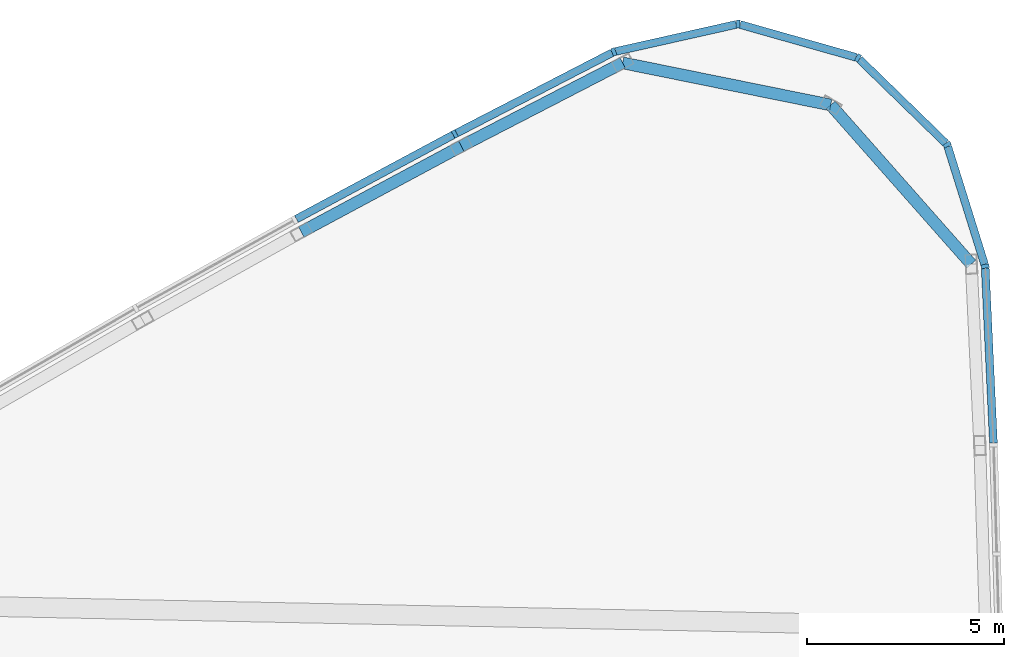
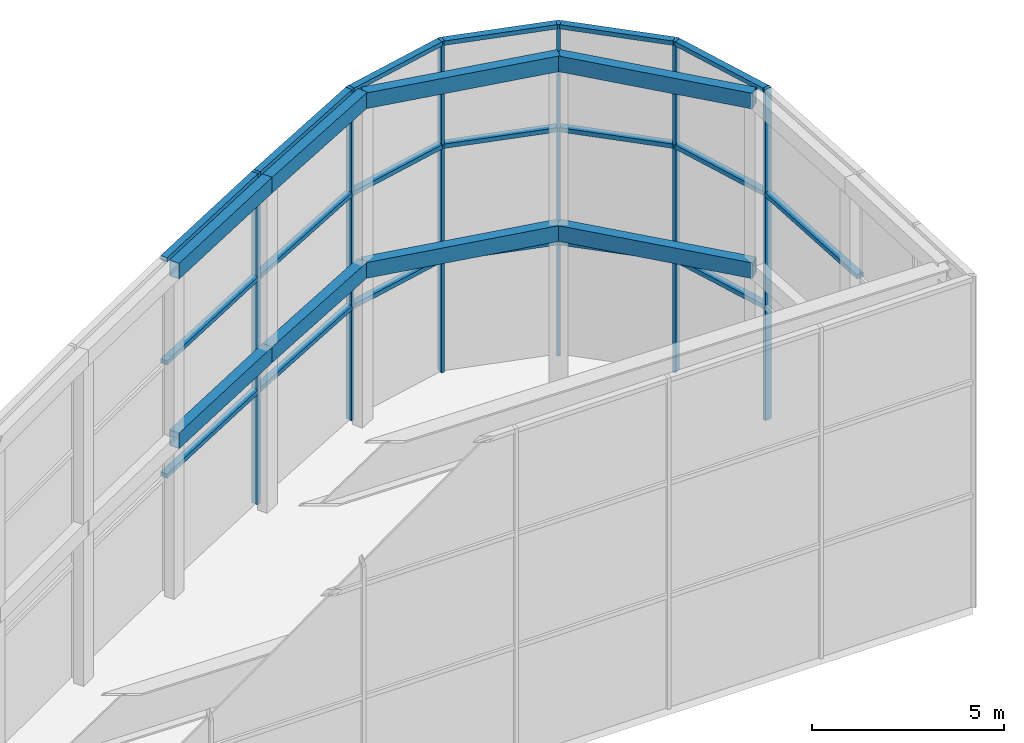
# One storey, part 2 of 4: 25 members, 8 beams, 1 element without a shape of its own.
"""IFC4 building model written with IfcOpenShell, lengths in metres."""

from ifc_helpers import new_model, si_unit, direction, frame, origin, origin_2d, place, context, subcontext, project, spatial, rectangle, hollow_rectangle, extrude, material, material_profile, profile_set, type_object, element, aggregate, save


model = new_model("IFC4")

# Units and contexts
model_context = context("Model", 3, precision=1e-05, world=origin(), true_north=direction((0.0, 1.0)))
body_context = subcontext(model_context, "Body", "Model", "MODEL_VIEW")
ifc_project = project(units=[si_unit("LENGTHUNIT", "METRE"), si_unit("AREAUNIT", "SQUARE_METRE"), si_unit("VOLUMEUNIT", "CUBIC_METRE"), si_unit("PLANEANGLEUNIT", "RADIAN"), si_unit("MASSUNIT", "GRAM", prefix="KILO")], contexts=[model_context])

# Site, building, storey
site_placement = place(None, origin())
site = spatial("IfcSite", under=ifc_project, at=site_placement, CompositionType="ELEMENT")
building_placement = place(site_placement, origin())
building = spatial("IfcBuilding", under=site, at=building_placement, Name="Tamra Quay Hotel Tower", CompositionType="ELEMENT")
storey_placement = place(building_placement, frame((0.0, 0.0, 338.60009765625)))
storey = spatial("IfcBuildingStorey", under=building, at=storey_placement, Name="Roof crown 6", CompositionType="ELEMENT", Elevation=338.60009765625)

# Beams
ifc_material_1 = material(Name="Structural steel IS 2062 E350", Category="steel")
ifc_material_profile_1 = material_profile(ifc_material_1, hollow_rectangle(XDim=0.300048828125, YDim=0.5, WallThickness=0.01611328125, at=origin_2d()), Name="RHS 500x300x16")
ifc_profile_set_1 = profile_set([ifc_material_profile_1], Name="Structural steel IS 2062 E350")
beam_type = type_object("IfcBeamType", Name="CROWN FRAME RING BEAM RHS 500x300x16", PredefinedType="BEAM", material=ifc_profile_set_1)
beam_1_placement = place(storey_placement, frame((15.202392578125, 16.116943359375, 4.89990234375), z_axis=(-0.661876405128, 0.749612983035, 0.0), x_axis=(-0.749612983035, -0.661876405128, 0.0)))
element("IfcBeam", 1, at=beam_1_placement, inside=storey, type_object=beam_type, Name="CF-A-RBM04", PredefinedType="BEAM", context=body_context, shape_type="SweptSolid", body=[
    extrude(hollow_rectangle(XDim=0.300048828125, YDim=0.5, WallThickness=0.01611328125, at=origin_2d()), origin(), (0.0, 0.0, 1.0), 5.38720703125),
])
beam_2_placement = place(storey_placement, frame((11.63671875, 20.1552734375, 4.89990234375), z_axis=(-0.980121358969, 0.198398895393, 0.0), x_axis=(-0.198398895393, -0.980121358969, 0.0)))
element("IfcBeam", 2, at=beam_2_placement, inside=storey, type_object=beam_type, Name="CF-A-RBM05", PredefinedType="BEAM", context=body_context, shape_type="SweptSolid", body=[
    extrude(hollow_rectangle(XDim=0.300048828125, YDim=0.5, WallThickness=0.01611328125, at=origin_2d()), origin(), (0.0, 0.0, 1.0), 5.387451171875),
])
beam_3_placement = place(storey_placement, frame((6.3564453125, 21.22412109375, 4.89990234375), z_axis=(-0.888500094046, -0.458876435306, 0.0), x_axis=(0.458876435306, -0.888500094046, 0.0)))
element("IfcBeam", 3, at=beam_3_placement, inside=storey, type_object=beam_type, Name="CF-A-RBM06", PredefinedType="BEAM", context=body_context, shape_type="SweptSolid", body=[
    extrude(hollow_rectangle(XDim=0.300048828125, YDim=0.5, WallThickness=0.01611328125, at=origin_2d()), origin(), (0.0, 0.0, 1.0), 4.60693359375),
])
beam_4_placement = place(storey_placement, frame((2.26318359375, 19.110107421875, 4.89990234375), z_axis=(-0.881213570035, -0.47271835588, 0.0), x_axis=(0.47271835588, -0.881213570035, 0.0)))
element("IfcBeam", 4, at=beam_4_placement, inside=storey, type_object=beam_type, Name="CF-A-RBM07", PredefinedType="BEAM", context=body_context, shape_type="SweptSolid", body=[
    extrude(hollow_rectangle(XDim=0.300048828125, YDim=0.5, WallThickness=0.01611328125, at=origin_2d()), origin(), (0.0, 0.0, 1.0), 4.607421875),
])
beam_5_placement = place(storey_placement, frame((15.202392578125, 16.116943359375, 10.2998046875), z_axis=(-0.661876405128, 0.749612983035, 0.0), x_axis=(-0.749612983035, -0.661876405128, 0.0)))
element("IfcBeam", 5, at=beam_5_placement, inside=storey, type_object=beam_type, Name="CF-A-RB04", PredefinedType="BEAM", context=body_context, shape_type="SweptSolid", body=[
    extrude(hollow_rectangle(XDim=0.300048828125, YDim=0.5, WallThickness=0.01611328125, at=origin_2d()), origin(), (0.0, 0.0, 1.0), 5.38720703125),
])
beam_6_placement = place(storey_placement, frame((11.63671875, 20.1552734375, 10.2998046875), z_axis=(-0.980121358969, 0.198398895393, 0.0), x_axis=(-0.198398895393, -0.980121358969, 0.0)))
element("IfcBeam", 6, at=beam_6_placement, inside=storey, type_object=beam_type, Name="CF-A-RB05", PredefinedType="BEAM", context=body_context, shape_type="SweptSolid", body=[
    extrude(hollow_rectangle(XDim=0.300048828125, YDim=0.5, WallThickness=0.01611328125, at=origin_2d()), origin(), (0.0, 0.0, 1.0), 5.387451171875),
])
beam_7_placement = place(storey_placement, frame((6.3564453125, 21.22412109375, 10.2998046875), z_axis=(-0.888500094046, -0.458876435306, 0.0), x_axis=(0.458876435306, -0.888500094046, 0.0)))
element("IfcBeam", 7, at=beam_7_placement, inside=storey, type_object=beam_type, Name="CF-A-RB06", PredefinedType="BEAM", context=body_context, shape_type="SweptSolid", body=[
    extrude(hollow_rectangle(XDim=0.300048828125, YDim=0.5, WallThickness=0.01611328125, at=origin_2d()), origin(), (0.0, 0.0, 1.0), 4.60693359375),
])
beam_8_placement = place(storey_placement, frame((2.26318359375, 19.110107421875, 10.2998046875), z_axis=(-0.881213570035, -0.47271835588, 0.0), x_axis=(0.47271835588, -0.881213570035, 0.0)))
element("IfcBeam", 8, at=beam_8_placement, inside=storey, type_object=beam_type, Name="CF-A-RB07", PredefinedType="BEAM", context=body_context, shape_type="SweptSolid", body=[
    extrude(hollow_rectangle(XDim=0.300048828125, YDim=0.5, WallThickness=0.01611328125, at=origin_2d()), origin(), (0.0, 0.0, 1.0), 4.607421875),
])

# Curtain wall, members
ifc_material_2 = material(Name="Aluminium 6063 anodised dark grey", Category="aluminium")
curtain_wall_type = type_object("IfcCurtainWallType", Name="CW6 CURTAIN WALL", PredefinedType="NOTDEFINED", material=ifc_material_2)
curtain_wall_placement = place(storey_placement, origin())
curtain_wall = element("IfcCurtainWall", 9, at=curtain_wall_placement, inside=storey, type_object=curtain_wall_type, Name="CW6 lantern A face Roof crown 6", PredefinedType="NOTDEFINED")
ifc_material_profile_2 = material_profile(ifc_material_2, rectangle(XDim=0.199951171875, YDim=0.10009765625, at=origin_2d()), Name="MULLION 100X200")
ifc_profile_set_2 = profile_set([ifc_material_profile_2], Name="Aluminium 6063 anodised dark grey")
member_type_1 = type_object("IfcMemberType", Name="MULLION CW6", PredefinedType="MULLION", material=ifc_profile_set_2)
member_1_placement = place(storey_placement, frame((15.555419921875, 16.063720703125, 0.0), z_axis=(0.0, 0.0, 1.0), x_axis=(0.984739916253, 0.174032460585, 0.0)))
member_1 = element("IfcMember", 10, at=member_1_placement, type_object=member_type_1, Name="CW6 mullion Roof crown 6.A.2", PredefinedType="MULLION", context=body_context, shape_type="SweptSolid", body=[
    extrude(rectangle(XDim=0.199951171875, YDim=0.10009765625, at=origin_2d()), origin(), (0.0, 0.0, 1.0), 10.5498046875),
])
member_2_placement = place(storey_placement, frame((14.5908203125, 19.149169921875, 0.0), z_axis=(0.0, 0.0, 1.0), x_axis=(0.851964184595, 0.523600065094, 0.0)))
member_2 = element("IfcMember", 11, at=member_2_placement, type_object=member_type_1, Name="CW6 mullion Roof crown 6.A.3", PredefinedType="MULLION", context=body_context, shape_type="SweptSolid", body=[
    extrude(rectangle(XDim=0.199951171875, YDim=0.10009765625, at=origin_2d()), origin(), (0.0, 0.0, 1.0), 10.5498046875),
])
member_3_placement = place(storey_placement, frame((12.3271484375, 21.351318359375, 0.0), z_axis=(0.0, 0.0, 1.0), x_axis=(0.5, 0.866025403784, 0.0)))
member_3 = element("IfcMember", 12, at=member_3_placement, type_object=member_type_1, Name="CW6 mullion Roof crown 6.A.4", PredefinedType="MULLION", context=body_context, shape_type="SweptSolid", body=[
    extrude(rectangle(XDim=0.199951171875, YDim=0.10009765625, at=origin_2d()), origin(), (0.0, 0.0, 1.0), 10.5498046875),
])
member_4_placement = place(storey_placement, frame((9.288330078125, 22.21044921875, 0.0), z_axis=(0.0, 0.0, 1.0), x_axis=(0.027468865497, 0.999622659521, 0.0)))
member_4 = element("IfcMember", 13, at=member_4_placement, type_object=member_type_1, Name="CW6 mullion Roof crown 6.A.5", PredefinedType="MULLION", context=body_context, shape_type="SweptSolid", body=[
    extrude(rectangle(XDim=0.199951171875, YDim=0.10009765625, at=origin_2d()), origin(), (0.0, 0.0, 1.0), 10.5498046875),
])
member_5_placement = place(storey_placement, frame((6.134033203125, 21.503173828125, 0.0), z_axis=(0.0, 0.0, 1.0), x_axis=(-0.341653426177, 0.939826013888, 0.0)))
member_5 = element("IfcMember", 14, at=member_5_placement, type_object=member_type_1, Name="CW6 mullion Roof crown 6.A.6", PredefinedType="MULLION", context=body_context, shape_type="SweptSolid", body=[
    extrude(rectangle(XDim=0.199951171875, YDim=0.10009765625, at=origin_2d()), origin(), (0.0, 0.0, 1.0), 10.5498046875),
])
member_6_placement = place(storey_placement, frame((2.10009765625, 19.419677734375, 0.0), z_axis=(0.0, 0.0, 1.0), x_axis=(-0.465815600445, 0.884881814923, 0.0)))
member_6 = element("IfcMember", 15, at=member_6_placement, type_object=member_type_1, Name="CW6 mullion Roof crown 6.A.7", PredefinedType="MULLION", context=body_context, shape_type="SweptSolid", body=[
    extrude(rectangle(XDim=0.199951171875, YDim=0.10009765625, at=origin_2d()), origin(), (0.0, 0.0, 1.0), 10.5498046875),
])
ifc_material_profile_3 = material_profile(ifc_material_2, rectangle(XDim=0.199951171875, YDim=0.139892578125, at=origin_2d()), Name="TRANSOM 200X140")
ifc_profile_set_3 = profile_set([ifc_material_profile_3], Name="Aluminium 6063 anodised dark grey")
member_type_2 = type_object("IfcMemberType", Name="TRANSOM CW6", PredefinedType="USERDEFINED", material=ifc_profile_set_3)
member_7_placement = place(storey_placement, frame((15.765625, 11.578369140625, 7.199951171875), z_axis=(-0.046844159112, 0.998902209807, 0.0), x_axis=(-0.998902209807, -0.046844159112, 0.0)))
member_7 = element("IfcMember", 16, at=member_7_placement, type_object=member_type_2, Name="CW6 transom Roof crown 6.A.1.3", ObjectType="TRANSOM", PredefinedType="USERDEFINED", context=body_context, shape_type="SweptSolid", body=[
    extrude(rectangle(XDim=0.199951171875, YDim=0.139892578125, at=origin_2d()), origin(), (0.0, 0.0, 1.0), 4.4404296875),
])
member_8_placement = place(storey_placement, frame((15.54052734375, 16.111572265625, 10.47998046875), z_axis=(-0.298403676177, 0.954439755063, 0.0), x_axis=(-0.954439755063, -0.298403676177, 0.0)))
member_8 = element("IfcMember", 17, at=member_8_placement, type_object=member_type_2, Name="CW6 transom Roof crown 6.A.2", ObjectType="TRANSOM", PredefinedType="USERDEFINED", context=body_context, shape_type="SweptSolid", body=[
    extrude(rectangle(XDim=0.199951171875, YDim=0.139892578125, at=origin_2d()), origin(), (0.0, 0.0, 1.0), 3.1328125),
])
member_9_placement = place(storey_placement, frame((15.54052734375, 16.111572265625, 3.599853515625), z_axis=(-0.298403676177, 0.954439755063, 0.0), x_axis=(-0.954439755063, -0.298403676177, 0.0)))
member_9 = element("IfcMember", 18, at=member_9_placement, type_object=member_type_2, Name="CW6 transom Roof crown 6.A.2.2", ObjectType="TRANSOM", PredefinedType="USERDEFINED", context=body_context, shape_type="SweptSolid", body=[
    extrude(rectangle(XDim=0.199951171875, YDim=0.139892578125, at=origin_2d()), origin(), (0.0, 0.0, 1.0), 3.1328125),
])
member_10_placement = place(storey_placement, frame((15.54052734375, 16.111572265625, 7.199951171875), z_axis=(-0.298403676177, 0.954439755063, 0.0), x_axis=(-0.954439755063, -0.298403676177, 0.0)))
member_10 = element("IfcMember", 19, at=member_10_placement, type_object=member_type_2, Name="CW6 transom Roof crown 6.A.2.3", ObjectType="TRANSOM", PredefinedType="USERDEFINED", context=body_context, shape_type="SweptSolid", body=[
    extrude(rectangle(XDim=0.199951171875, YDim=0.139892578125, at=origin_2d()), origin(), (0.0, 0.0, 1.0), 3.1328125),
])
member_11_placement = place(storey_placement, frame((14.554931640625, 19.18408203125, 10.47998046875), z_axis=(-0.716779852689, 0.697299535909, 0.0), x_axis=(-0.697299535909, -0.716779852689, 0.0)))
member_11 = element("IfcMember", 20, at=member_11_placement, type_object=member_type_2, Name="CW6 transom Roof crown 6.A.3", ObjectType="TRANSOM", PredefinedType="USERDEFINED", context=body_context, shape_type="SweptSolid", body=[
    extrude(rectangle(XDim=0.199951171875, YDim=0.139892578125, at=origin_2d()), origin(), (0.0, 0.0, 1.0), 3.057861328125),
])
member_12_placement = place(storey_placement, frame((14.554931640625, 19.18408203125, 3.599853515625), z_axis=(-0.716779852689, 0.697299535909, 0.0), x_axis=(-0.697299535909, -0.716779852689, 0.0)))
member_12 = element("IfcMember", 21, at=member_12_placement, type_object=member_type_2, Name="CW6 transom Roof crown 6.A.3.2", ObjectType="TRANSOM", PredefinedType="USERDEFINED", context=body_context, shape_type="SweptSolid", body=[
    extrude(rectangle(XDim=0.199951171875, YDim=0.139892578125, at=origin_2d()), origin(), (0.0, 0.0, 1.0), 3.057861328125),
])
member_13_placement = place(storey_placement, frame((14.554931640625, 19.18408203125, 7.199951171875), z_axis=(-0.716779852689, 0.697299535909, 0.0), x_axis=(-0.697299535909, -0.716779852689, 0.0)))
member_13 = element("IfcMember", 22, at=member_13_placement, type_object=member_type_2, Name="CW6 transom Roof crown 6.A.3.3", ObjectType="TRANSOM", PredefinedType="USERDEFINED", context=body_context, shape_type="SweptSolid", body=[
    extrude(rectangle(XDim=0.199951171875, YDim=0.139892578125, at=origin_2d()), origin(), (0.0, 0.0, 1.0), 3.057861328125),
])
member_14_placement = place(storey_placement, frame((12.279052734375, 21.364990234375, 10.47998046875), z_axis=(-0.962273511824, 0.272083973143, 0.0), x_axis=(-0.272083973143, -0.962273511824, 0.0)))
member_14 = element("IfcMember", 23, at=member_14_placement, type_object=member_type_2, Name="CW6 transom Roof crown 6.A.4", ObjectType="TRANSOM", PredefinedType="USERDEFINED", context=body_context, shape_type="SweptSolid", body=[
    extrude(rectangle(XDim=0.199951171875, YDim=0.139892578125, at=origin_2d()), origin(), (0.0, 0.0, 1.0), 3.05810546875),
])
member_15_placement = place(storey_placement, frame((12.279052734375, 21.364990234375, 3.599853515625), z_axis=(-0.962273511824, 0.272083973143, 0.0), x_axis=(-0.272083973143, -0.962273511824, 0.0)))
member_15 = element("IfcMember", 24, at=member_15_placement, type_object=member_type_2, Name="CW6 transom Roof crown 6.A.4.2", ObjectType="TRANSOM", PredefinedType="USERDEFINED", context=body_context, shape_type="SweptSolid", body=[
    extrude(rectangle(XDim=0.199951171875, YDim=0.139892578125, at=origin_2d()), origin(), (0.0, 0.0, 1.0), 3.05810546875),
])
member_16_placement = place(storey_placement, frame((12.279052734375, 21.364990234375, 7.199951171875), z_axis=(-0.962273511824, 0.272083973143, 0.0), x_axis=(-0.272083973143, -0.962273511824, 0.0)))
member_16 = element("IfcMember", 25, at=member_16_placement, type_object=member_type_2, Name="CW6 transom Roof crown 6.A.4.3", ObjectType="TRANSOM", PredefinedType="USERDEFINED", context=body_context, shape_type="SweptSolid", body=[
    extrude(rectangle(XDim=0.199951171875, YDim=0.139892578125, at=origin_2d()), origin(), (0.0, 0.0, 1.0), 3.05810546875),
])
member_17_placement = place(storey_placement, frame((9.239501953125, 22.19970703125, 10.47998046875), z_axis=(-0.97575974355, -0.218844517563, 0.0), x_axis=(0.218844517563, -0.97575974355, 0.0)))
member_17 = element("IfcMember", 26, at=member_17_placement, type_object=member_type_2, Name="CW6 transom Roof crown 6.A.5", ObjectType="TRANSOM", PredefinedType="USERDEFINED", context=body_context, shape_type="SweptSolid", body=[
    extrude(rectangle(XDim=0.199951171875, YDim=0.139892578125, at=origin_2d()), origin(), (0.0, 0.0, 1.0), 3.132568359375),
])
member_18_placement = place(storey_placement, frame((9.239501953125, 22.19970703125, 3.599853515625), z_axis=(-0.97575974355, -0.218844517563, 0.0), x_axis=(0.218844517563, -0.97575974355, 0.0)))
member_18 = element("IfcMember", 27, at=member_18_placement, type_object=member_type_2, Name="CW6 transom Roof crown 6.A.5.2", ObjectType="TRANSOM", PredefinedType="USERDEFINED", context=body_context, shape_type="SweptSolid", body=[
    extrude(rectangle(XDim=0.199951171875, YDim=0.139892578125, at=origin_2d()), origin(), (0.0, 0.0, 1.0), 3.132568359375),
])
member_19_placement = place(storey_placement, frame((9.239501953125, 22.19970703125, 7.199951171875), z_axis=(-0.97575974355, -0.218844517563, 0.0), x_axis=(0.218844517563, -0.97575974355, 0.0)))
member_19 = element("IfcMember", 28, at=member_19_placement, type_object=member_type_2, Name="CW6 transom Roof crown 6.A.5.3", ObjectType="TRANSOM", PredefinedType="USERDEFINED", context=body_context, shape_type="SweptSolid", body=[
    extrude(rectangle(XDim=0.199951171875, YDim=0.139892578125, at=origin_2d()), origin(), (0.0, 0.0, 1.0), 3.132568359375),
])
member_20_placement = place(storey_placement, frame((6.089599609375, 21.480224609375, 10.47998046875), z_axis=(-0.888489056093, -0.458897806928, 0.0), x_axis=(0.458897806928, -0.888489056093, 0.0)))
member_20 = element("IfcMember", 29, at=member_20_placement, type_object=member_type_2, Name="CW6 transom Roof crown 6.A.6", ObjectType="TRANSOM", PredefinedType="USERDEFINED", context=body_context, shape_type="SweptSolid", body=[
    extrude(rectangle(XDim=0.199951171875, YDim=0.139892578125, at=origin_2d()), origin(), (0.0, 0.0, 1.0), 4.440185546875),
])
member_21_placement = place(storey_placement, frame((6.089599609375, 21.480224609375, 3.599853515625), z_axis=(-0.888489056093, -0.458897806928, 0.0), x_axis=(0.458897806928, -0.888489056093, 0.0)))
member_21 = element("IfcMember", 30, at=member_21_placement, type_object=member_type_2, Name="CW6 transom Roof crown 6.A.6.2", ObjectType="TRANSOM", PredefinedType="USERDEFINED", context=body_context, shape_type="SweptSolid", body=[
    extrude(rectangle(XDim=0.199951171875, YDim=0.139892578125, at=origin_2d()), origin(), (0.0, 0.0, 1.0), 4.440185546875),
])
member_22_placement = place(storey_placement, frame((6.089599609375, 21.480224609375, 7.199951171875), z_axis=(-0.888489056093, -0.458897806928, 0.0), x_axis=(0.458897806928, -0.888489056093, 0.0)))
member_22 = element("IfcMember", 31, at=member_22_placement, type_object=member_type_2, Name="CW6 transom Roof crown 6.A.6.3", ObjectType="TRANSOM", PredefinedType="USERDEFINED", context=body_context, shape_type="SweptSolid", body=[
    extrude(rectangle(XDim=0.199951171875, YDim=0.139892578125, at=origin_2d()), origin(), (0.0, 0.0, 1.0), 4.440185546875),
])
member_23_placement = place(storey_placement, frame((2.055908203125, 19.39599609375, 10.47998046875), z_axis=(-0.881213593075, -0.47271831293, 0.0), x_axis=(0.47271831293, -0.881213593075, 0.0)))
member_23 = element("IfcMember", 32, at=member_23_placement, type_object=member_type_2, Name="CW6 transom Roof crown 6.A.7", ObjectType="TRANSOM", PredefinedType="USERDEFINED", context=body_context, shape_type="SweptSolid", body=[
    extrude(rectangle(XDim=0.199951171875, YDim=0.139892578125, at=origin_2d()), origin(), (0.0, 0.0, 1.0), 4.51220703125),
])
member_24_placement = place(storey_placement, frame((2.055908203125, 19.39599609375, 3.599853515625), z_axis=(-0.881213593075, -0.47271831293, 0.0), x_axis=(0.47271831293, -0.881213593075, 0.0)))
member_24 = element("IfcMember", 33, at=member_24_placement, type_object=member_type_2, Name="CW6 transom Roof crown 6.A.7.2", ObjectType="TRANSOM", PredefinedType="USERDEFINED", context=body_context, shape_type="SweptSolid", body=[
    extrude(rectangle(XDim=0.199951171875, YDim=0.139892578125, at=origin_2d()), origin(), (0.0, 0.0, 1.0), 4.51220703125),
])
member_25_placement = place(storey_placement, frame((2.055908203125, 19.39599609375, 7.199951171875), z_axis=(-0.881213593075, -0.47271831293, 0.0), x_axis=(0.47271831293, -0.881213593075, 0.0)))
member_25 = element("IfcMember", 34, at=member_25_placement, type_object=member_type_2, Name="CW6 transom Roof crown 6.A.7.3", ObjectType="TRANSOM", PredefinedType="USERDEFINED", context=body_context, shape_type="SweptSolid", body=[
    extrude(rectangle(XDim=0.199951171875, YDim=0.139892578125, at=origin_2d()), origin(), (0.0, 0.0, 1.0), 4.51220703125),
])
aggregate(curtain_wall, [member_7, member_1, member_8, member_9, member_10, member_2, member_11, member_12, member_13, member_3, member_14, member_15, member_16, member_4, member_17, member_18, member_19, member_5, member_20, member_21, member_22, member_6, member_23, member_24, member_25])

save(model, "model.ifc")
